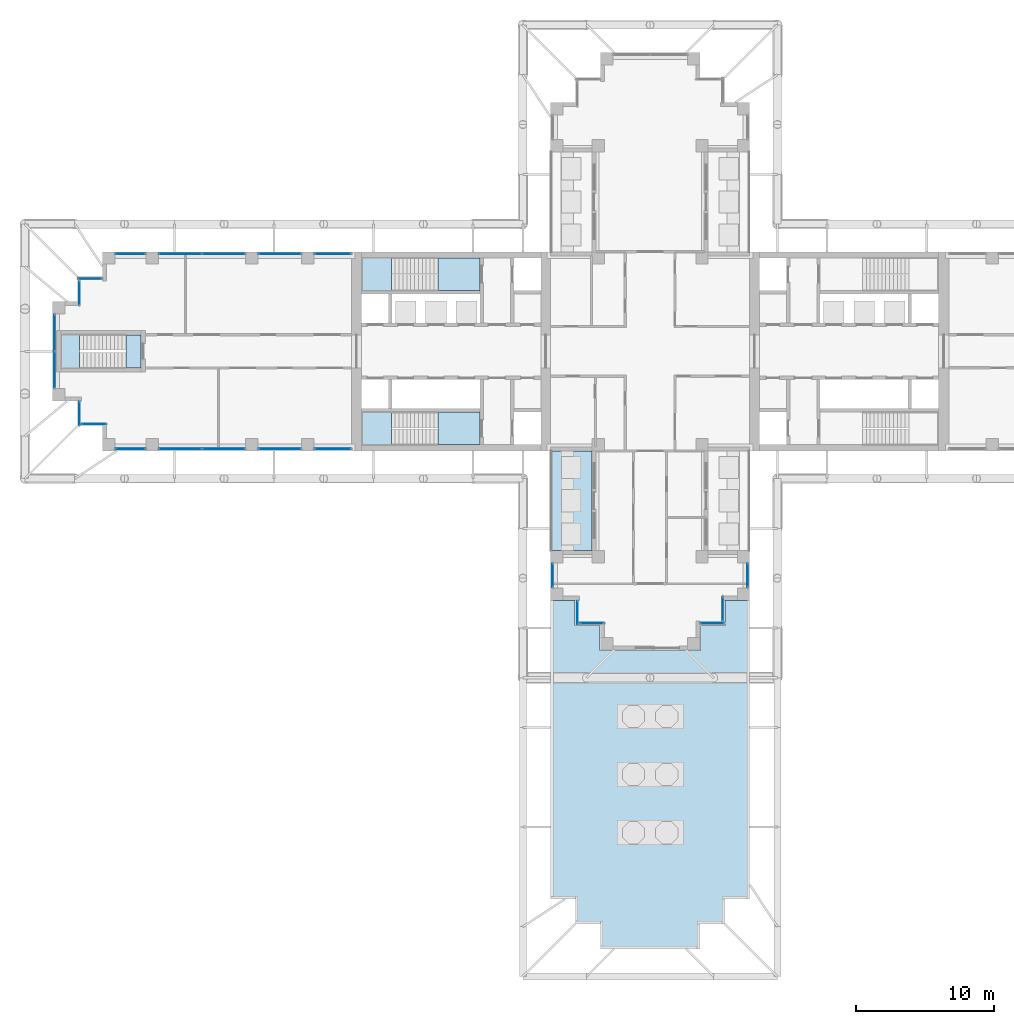
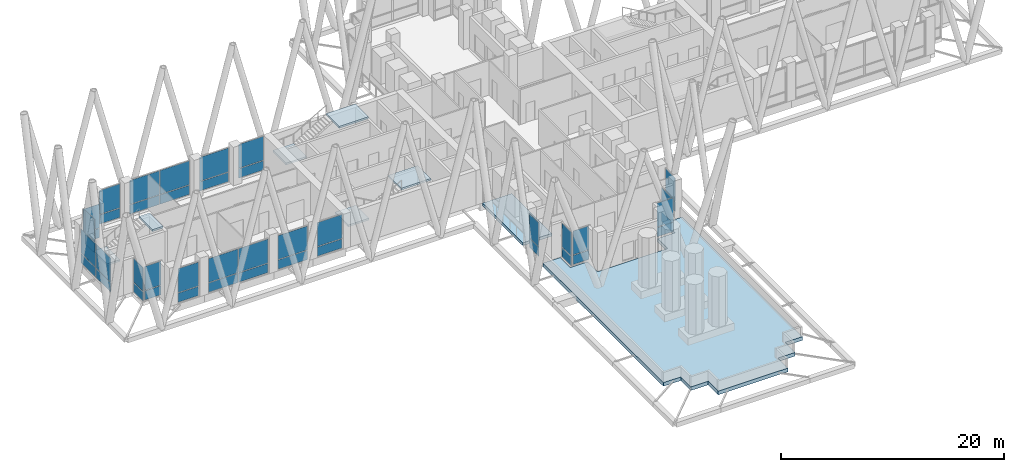
# One storey, part 11 of 22: 44 plates, 8 slabs, 22 elements without a shape of their own.
"""IFC4 building model written with IfcOpenShell, lengths in metres."""

from ifc_helpers import new_model, si_unit, direction, frame, origin, origin_2d, place, context, subcontext, project, spatial, polyline, rectangle, outline, extrude, material, layer, layer_set, type_object, element, aggregate, save


model = new_model("IFC4")

# Units and contexts
model_context = context("Model", 3, precision=1e-05, world=origin(), true_north=direction((0.0, 1.0)))
body_context = subcontext(model_context, "Body", "Model", "MODEL_VIEW")
ifc_project = project(units=[si_unit("LENGTHUNIT", "METRE"), si_unit("AREAUNIT", "SQUARE_METRE"), si_unit("VOLUMEUNIT", "CUBIC_METRE"), si_unit("PLANEANGLEUNIT", "RADIAN"), si_unit("MASSUNIT", "GRAM", prefix="KILO")], contexts=[model_context])

# Site, building, storey
site_placement = place(None, origin())
site = spatial("IfcSite", under=ifc_project, at=site_placement, CompositionType="ELEMENT")
building_placement = place(site_placement, origin())
building = spatial("IfcBuilding", under=site, at=building_placement, Name="Fustian Cross Tower", CompositionType="ELEMENT")
storey_placement = place(building_placement, frame((0.0, 0.0, 116.10009765625)))
storey = spatial("IfcBuildingStorey", under=building, at=storey_placement, Name="L36", CompositionType="ELEMENT", Elevation=116.10009765625)

# Slab
ifc_material_1 = material(Name="Concrete C40/50", Category="concrete")
ifc_layer_1 = layer(ifc_material_1, 0.300048828125)
ifc_layer_set_1 = layer_set([ifc_layer_1], Name="Concrete C40/50")
slab_type_1 = type_object("IfcSlabType", Name="BS1 BALCONY SLAB 300", PredefinedType="FLOOR", material=ifc_layer_set_1)
slab_1_placement = place(storey_placement, frame((0.0, 0.0, -0.300048828125)))
element("IfcSlab", 1, at=slab_1_placement, inside=storey, type_object=slab_type_1, Name="Balcony slab", PredefinedType="FLOOR", context=body_context, shape_type="SweptSolid", body=[
    extrude(outline(polyline([(-7.199951171875, -14.39990234375), (-4.199951171875, -14.39990234375), (-4.199951171875, -7.199951171875), (-7.199951171875, -7.199951171875), (-7.199951171875, -14.39990234375)])), origin(), (0.0, 0.0, 1.0), 0.300048828125),
])

# Curtain wall, plates
ifc_material_2 = material(Name="Dark anodised aluminium and double glazing", Category="aluminium")
curtain_wall_type = type_object("IfcCurtainWallType", Name="CW1 LOUNGE CURTAIN WALL", PredefinedType="NOTDEFINED", material=ifc_material_2)
curtain_wall_1_placement = place(storey_placement, origin())
curtain_wall_1 = element("IfcCurtainWall", 2, at=curtain_wall_1_placement, inside=storey, type_object=curtain_wall_type, Name="Curtain wall", PredefinedType="NOTDEFINED")
ifc_material_3 = material(Name="Double glazed unit")
ifc_layer_2 = layer(ifc_material_3, 0.028076171875)
ifc_layer_set_2 = layer_set([ifc_layer_2], Name="Double glazed unit")
plate_type = type_object("IfcPlateType", Name="CW1 PANEL IGU 28", PredefinedType="CURTAIN_PANEL", material=ifc_layer_set_2)
plate_1_placement = place(storey_placement, frame((-22.949951171875, 7.050048828125, 0.06005859375), z_axis=(0.0, 0.0, 1.0), x_axis=(-1.0, 0.0, 0.0)))
plate_1 = element("IfcPlate", 3, at=plate_1_placement, type_object=plate_type, Name="CW1 panel 1.1", PredefinedType="CURTAIN_PANEL", context=body_context, shape_type="SweptSolid", body=[
    extrude(rectangle(XDim=2.580078125, YDim=0.028076171875, at=origin_2d()), origin(), (0.0, 0.0, 1.0), 1.010009765625),
])
plate_2_placement = place(storey_placement, frame((-22.949951171875, 7.050048828125, 1.1298828125), z_axis=(0.0, 0.0, 1.0), x_axis=(-1.0, 0.0, 0.0)))
plate_2 = element("IfcPlate", 4, at=plate_2_placement, type_object=plate_type, Name="CW1 panel 1.2", PredefinedType="CURTAIN_PANEL", context=body_context, shape_type="SweptSolid", body=[
    extrude(rectangle(XDim=2.580078125, YDim=0.028076171875, at=origin_2d()), origin(), (0.0, 0.0, 1.0), 2.610107421875),
])
aggregate(curtain_wall_1, [plate_1, plate_2])

curtain_wall_2_placement = place(storey_placement, origin())
curtain_wall_2 = element("IfcCurtainWall", 5, at=curtain_wall_2_placement, inside=storey, type_object=curtain_wall_type, Name="Curtain wall", PredefinedType="NOTDEFINED")
plate_3_placement = place(storey_placement, frame((-26.77490234375, 7.050048828125, 0.06005859375), z_axis=(0.0, 0.0, 1.0), x_axis=(-1.0, 0.0, 0.0)))
plate_3 = element("IfcPlate", 6, at=plate_3_placement, type_object=plate_type, Name="CW1 panel 1.1", PredefinedType="CURTAIN_PANEL", context=body_context, shape_type="SweptSolid", body=[
    extrude(rectangle(XDim=3.030029296875, YDim=0.028076171875, at=origin_2d()), origin(), (0.0, 0.0, 1.0), 1.010009765625),
])
plate_4_placement = place(storey_placement, frame((-26.77490234375, 7.050048828125, 1.1298828125), z_axis=(0.0, 0.0, 1.0), x_axis=(-1.0, 0.0, 0.0)))
plate_4 = element("IfcPlate", 7, at=plate_4_placement, type_object=plate_type, Name="CW1 panel 1.2", PredefinedType="CURTAIN_PANEL", context=body_context, shape_type="SweptSolid", body=[
    extrude(rectangle(XDim=3.030029296875, YDim=0.028076171875, at=origin_2d()), origin(), (0.0, 0.0, 1.0), 2.610107421875),
])
aggregate(curtain_wall_2, [plate_3, plate_4])

curtain_wall_3_placement = place(storey_placement, origin())
curtain_wall_3 = element("IfcCurtainWall", 8, at=curtain_wall_3_placement, inside=storey, type_object=curtain_wall_type, Name="Curtain wall", PredefinedType="NOTDEFINED")
plate_5_placement = place(storey_placement, frame((-30.840087890625, 7.050048828125, 0.06005859375), z_axis=(0.0, 0.0, 1.0), x_axis=(-1.0, 0.0, 0.0)))
plate_5 = element("IfcPlate", 9, at=plate_5_placement, type_object=plate_type, Name="CW1 panel 1.1", PredefinedType="CURTAIN_PANEL", context=body_context, shape_type="SweptSolid", body=[
    extrude(rectangle(XDim=3.06005859375, YDim=0.028076171875, at=origin_2d()), origin(), (0.0, 0.0, 1.0), 1.010009765625),
])
plate_6_placement = place(storey_placement, frame((-30.840087890625, 7.050048828125, 1.1298828125), z_axis=(0.0, 0.0, 1.0), x_axis=(-1.0, 0.0, 0.0)))
plate_6 = element("IfcPlate", 10, at=plate_6_placement, type_object=plate_type, Name="CW1 panel 1.2", PredefinedType="CURTAIN_PANEL", context=body_context, shape_type="SweptSolid", body=[
    extrude(rectangle(XDim=3.06005859375, YDim=0.028076171875, at=origin_2d()), origin(), (0.0, 0.0, 1.0), 2.610107421875),
])
plate_7_placement = place(storey_placement, frame((-33.9599609375, 7.050048828125, 0.06005859375), z_axis=(0.0, 0.0, 1.0), x_axis=(-1.0, 0.0, 0.0)))
plate_7 = element("IfcPlate", 11, at=plate_7_placement, type_object=plate_type, Name="CW1 panel 2.1", PredefinedType="CURTAIN_PANEL", context=body_context, shape_type="SweptSolid", body=[
    extrude(rectangle(XDim=3.06005859375, YDim=0.028076171875, at=origin_2d()), origin(), (0.0, 0.0, 1.0), 1.010009765625),
])
plate_8_placement = place(storey_placement, frame((-33.9599609375, 7.050048828125, 1.1298828125), z_axis=(0.0, 0.0, 1.0), x_axis=(-1.0, 0.0, 0.0)))
plate_8 = element("IfcPlate", 12, at=plate_8_placement, type_object=plate_type, Name="CW1 panel 2.2", PredefinedType="CURTAIN_PANEL", context=body_context, shape_type="SweptSolid", body=[
    extrude(rectangle(XDim=3.06005859375, YDim=0.028076171875, at=origin_2d()), origin(), (0.0, 0.0, 1.0), 2.610107421875),
])
aggregate(curtain_wall_3, [plate_5, plate_6, plate_7, plate_8])

curtain_wall_4_placement = place(storey_placement, origin())
curtain_wall_4 = element("IfcCurtainWall", 13, at=curtain_wall_4_placement, inside=storey, type_object=curtain_wall_type, Name="Curtain wall", PredefinedType="NOTDEFINED")
plate_9_placement = place(storey_placement, frame((-37.574951171875, 7.050048828125, 0.06005859375), z_axis=(0.0, 0.0, 1.0), x_axis=(-1.0, 0.0, 0.0)))
plate_9 = element("IfcPlate", 14, at=plate_9_placement, type_object=plate_type, Name="CW1 panel 1.1", PredefinedType="CURTAIN_PANEL", context=body_context, shape_type="SweptSolid", body=[
    extrude(rectangle(XDim=2.1298828125, YDim=0.028076171875, at=origin_2d()), origin(), (0.0, 0.0, 1.0), 1.010009765625),
])
plate_10_placement = place(storey_placement, frame((-37.574951171875, 7.050048828125, 1.1298828125), z_axis=(0.0, 0.0, 1.0), x_axis=(-1.0, 0.0, 0.0)))
plate_10 = element("IfcPlate", 15, at=plate_10_placement, type_object=plate_type, Name="CW1 panel 1.2", PredefinedType="CURTAIN_PANEL", context=body_context, shape_type="SweptSolid", body=[
    extrude(rectangle(XDim=2.1298828125, YDim=0.028076171875, at=origin_2d()), origin(), (0.0, 0.0, 1.0), 2.610107421875),
])
aggregate(curtain_wall_4, [plate_9, plate_10])

curtain_wall_5_placement = place(storey_placement, origin())
curtain_wall_5 = element("IfcCurtainWall", 16, at=curtain_wall_5_placement, inside=storey, type_object=curtain_wall_type, Name="Curtain wall", PredefinedType="NOTDEFINED")
plate_11_placement = place(storey_placement, frame((-40.5, 5.25, 0.06005859375), z_axis=(0.0, 0.0, 1.0), x_axis=(-1.0, 0.0, 0.0)))
plate_11 = element("IfcPlate", 17, at=plate_11_placement, type_object=plate_type, Name="CW1 panel 1.1", PredefinedType="CURTAIN_PANEL", context=body_context, shape_type="SweptSolid", body=[
    extrude(rectangle(XDim=1.679931640625, YDim=0.028076171875, at=origin_2d()), origin(), (0.0, 0.0, 1.0), 1.010009765625),
])
plate_12_placement = place(storey_placement, frame((-40.5, 5.25, 1.1298828125), z_axis=(0.0, 0.0, 1.0), x_axis=(-1.0, 0.0, 0.0)))
plate_12 = element("IfcPlate", 18, at=plate_12_placement, type_object=plate_type, Name="CW1 panel 1.2", PredefinedType="CURTAIN_PANEL", context=body_context, shape_type="SweptSolid", body=[
    extrude(rectangle(XDim=1.679931640625, YDim=0.028076171875, at=origin_2d()), origin(), (0.0, 0.0, 1.0), 2.610107421875),
])
aggregate(curtain_wall_5, [plate_11, plate_12])

curtain_wall_6_placement = place(storey_placement, origin())
curtain_wall_6 = element("IfcCurtainWall", 19, at=curtain_wall_6_placement, inside=storey, type_object=curtain_wall_type, Name="Curtain wall", PredefinedType="NOTDEFINED")
plate_13_placement = place(storey_placement, frame((-41.25, 4.199951171875, 0.06005859375), z_axis=(0.0, 0.0, 1.0), x_axis=(0.0, -1.0, 0.0)))
plate_13 = element("IfcPlate", 20, at=plate_13_placement, type_object=plate_type, Name="CW1 panel 1.1", PredefinedType="CURTAIN_PANEL", context=body_context, shape_type="SweptSolid", body=[
    extrude(rectangle(XDim=1.679931640625, YDim=0.028076171875, at=origin_2d()), origin(), (0.0, 0.0, 1.0), 1.010009765625),
])
plate_14_placement = place(storey_placement, frame((-41.25, 4.199951171875, 1.1298828125), z_axis=(0.0, 0.0, 1.0), x_axis=(0.0, -1.0, 0.0)))
plate_14 = element("IfcPlate", 21, at=plate_14_placement, type_object=plate_type, Name="CW1 panel 1.2", PredefinedType="CURTAIN_PANEL", context=body_context, shape_type="SweptSolid", body=[
    extrude(rectangle(XDim=1.679931640625, YDim=0.028076171875, at=origin_2d()), origin(), (0.0, 0.0, 1.0), 2.610107421875),
])
aggregate(curtain_wall_6, [plate_13, plate_14])

curtain_wall_7_placement = place(storey_placement, origin())
curtain_wall_7 = element("IfcCurtainWall", 22, at=curtain_wall_7_placement, inside=storey, type_object=curtain_wall_type, Name="Curtain wall", PredefinedType="NOTDEFINED")
plate_15_placement = place(storey_placement, frame((-43.050048828125, 1.3349609375, 0.06005859375), z_axis=(0.0, 0.0, 1.0), x_axis=(0.0, -1.0, 0.0)))
plate_15 = element("IfcPlate", 23, at=plate_15_placement, type_object=plate_type, Name="CW1 panel 1.1", PredefinedType="CURTAIN_PANEL", context=body_context, shape_type="SweptSolid", body=[
    extrude(rectangle(XDim=2.610107421875, YDim=0.028076171875, at=origin_2d()), origin(), (0.0, 0.0, 1.0), 1.010009765625),
])
plate_16_placement = place(storey_placement, frame((-43.050048828125, 1.3349609375, 1.1298828125), z_axis=(0.0, 0.0, 1.0), x_axis=(0.0, -1.0, 0.0)))
plate_16 = element("IfcPlate", 24, at=plate_16_placement, type_object=plate_type, Name="CW1 panel 1.2", PredefinedType="CURTAIN_PANEL", context=body_context, shape_type="SweptSolid", body=[
    extrude(rectangle(XDim=2.610107421875, YDim=0.028076171875, at=origin_2d()), origin(), (0.0, 0.0, 1.0), 2.610107421875),
])
plate_17_placement = place(storey_placement, frame((-43.050048828125, -1.3349609375, 0.06005859375), z_axis=(0.0, 0.0, 1.0), x_axis=(0.0, -1.0, 0.0)))
plate_17 = element("IfcPlate", 25, at=plate_17_placement, type_object=plate_type, Name="CW1 panel 2.1", PredefinedType="CURTAIN_PANEL", context=body_context, shape_type="SweptSolid", body=[
    extrude(rectangle(XDim=2.610107421875, YDim=0.028076171875, at=origin_2d()), origin(), (0.0, 0.0, 1.0), 1.010009765625),
])
plate_18_placement = place(storey_placement, frame((-43.050048828125, -1.3349609375, 1.1298828125), z_axis=(0.0, 0.0, 1.0), x_axis=(0.0, -1.0, 0.0)))
plate_18 = element("IfcPlate", 26, at=plate_18_placement, type_object=plate_type, Name="CW1 panel 2.2", PredefinedType="CURTAIN_PANEL", context=body_context, shape_type="SweptSolid", body=[
    extrude(rectangle(XDim=2.610107421875, YDim=0.028076171875, at=origin_2d()), origin(), (0.0, 0.0, 1.0), 2.610107421875),
])
aggregate(curtain_wall_7, [plate_15, plate_16, plate_17, plate_18])

curtain_wall_8_placement = place(storey_placement, origin())
curtain_wall_8 = element("IfcCurtainWall", 27, at=curtain_wall_8_placement, inside=storey, type_object=curtain_wall_type, Name="Curtain wall", PredefinedType="NOTDEFINED")
plate_19_placement = place(storey_placement, frame((-41.25, -4.5, 0.06005859375), z_axis=(0.0, 0.0, 1.0), x_axis=(0.0, -1.0, 0.0)))
plate_19 = element("IfcPlate", 28, at=plate_19_placement, type_object=plate_type, Name="CW1 panel 1.1", PredefinedType="CURTAIN_PANEL", context=body_context, shape_type="SweptSolid", body=[
    extrude(rectangle(XDim=1.679931640625, YDim=0.028076171875, at=origin_2d()), origin(), (0.0, 0.0, 1.0), 1.010009765625),
])
plate_20_placement = place(storey_placement, frame((-41.25, -4.5, 1.1298828125), z_axis=(0.0, 0.0, 1.0), x_axis=(0.0, -1.0, 0.0)))
plate_20 = element("IfcPlate", 29, at=plate_20_placement, type_object=plate_type, Name="CW1 panel 1.2", PredefinedType="CURTAIN_PANEL", context=body_context, shape_type="SweptSolid", body=[
    extrude(rectangle(XDim=1.679931640625, YDim=0.028076171875, at=origin_2d()), origin(), (0.0, 0.0, 1.0), 2.610107421875),
])
aggregate(curtain_wall_8, [plate_19, plate_20])

curtain_wall_9_placement = place(storey_placement, origin())
curtain_wall_9 = element("IfcCurtainWall", 30, at=curtain_wall_9_placement, inside=storey, type_object=curtain_wall_type, Name="Curtain wall", PredefinedType="NOTDEFINED")
plate_21_placement = place(storey_placement, frame((-40.199951171875, -5.25, 0.06005859375), z_axis=(0.0, 0.0, 1.0), x_axis=(1.0, 0.0, 0.0)))
plate_21 = element("IfcPlate", 31, at=plate_21_placement, type_object=plate_type, Name="CW1 panel 1.1", PredefinedType="CURTAIN_PANEL", context=body_context, shape_type="SweptSolid", body=[
    extrude(rectangle(XDim=1.679931640625, YDim=0.028076171875, at=origin_2d()), origin(), (0.0, 0.0, 1.0), 1.010009765625),
])
plate_22_placement = place(storey_placement, frame((-40.199951171875, -5.25, 1.1298828125), z_axis=(0.0, 0.0, 1.0), x_axis=(1.0, 0.0, 0.0)))
plate_22 = element("IfcPlate", 32, at=plate_22_placement, type_object=plate_type, Name="CW1 panel 1.2", PredefinedType="CURTAIN_PANEL", context=body_context, shape_type="SweptSolid", body=[
    extrude(rectangle(XDim=1.679931640625, YDim=0.028076171875, at=origin_2d()), origin(), (0.0, 0.0, 1.0), 2.610107421875),
])
aggregate(curtain_wall_9, [plate_21, plate_22])

curtain_wall_10_placement = place(storey_placement, origin())
curtain_wall_10 = element("IfcCurtainWall", 33, at=curtain_wall_10_placement, inside=storey, type_object=curtain_wall_type, Name="Curtain wall", PredefinedType="NOTDEFINED")
plate_23_placement = place(storey_placement, frame((-37.574951171875, -7.050048828125, 0.06005859375), z_axis=(0.0, 0.0, 1.0), x_axis=(1.0, 0.0, 0.0)))
plate_23 = element("IfcPlate", 34, at=plate_23_placement, type_object=plate_type, Name="CW1 panel 1.1", PredefinedType="CURTAIN_PANEL", context=body_context, shape_type="SweptSolid", body=[
    extrude(rectangle(XDim=2.1298828125, YDim=0.028076171875, at=origin_2d()), origin(), (0.0, 0.0, 1.0), 1.010009765625),
])
plate_24_placement = place(storey_placement, frame((-37.574951171875, -7.050048828125, 1.1298828125), z_axis=(0.0, 0.0, 1.0), x_axis=(1.0, 0.0, 0.0)))
plate_24 = element("IfcPlate", 35, at=plate_24_placement, type_object=plate_type, Name="CW1 panel 1.2", PredefinedType="CURTAIN_PANEL", context=body_context, shape_type="SweptSolid", body=[
    extrude(rectangle(XDim=2.1298828125, YDim=0.028076171875, at=origin_2d()), origin(), (0.0, 0.0, 1.0), 2.610107421875),
])
aggregate(curtain_wall_10, [plate_23, plate_24])

curtain_wall_11_placement = place(storey_placement, origin())
curtain_wall_11 = element("IfcCurtainWall", 36, at=curtain_wall_11_placement, inside=storey, type_object=curtain_wall_type, Name="Curtain wall", PredefinedType="NOTDEFINED")
plate_25_placement = place(storey_placement, frame((-33.9599609375, -7.050048828125, 0.06005859375), z_axis=(0.0, 0.0, 1.0), x_axis=(1.0, 0.0, 0.0)))
plate_25 = element("IfcPlate", 37, at=plate_25_placement, type_object=plate_type, Name="CW1 panel 1.1", PredefinedType="CURTAIN_PANEL", context=body_context, shape_type="SweptSolid", body=[
    extrude(rectangle(XDim=3.06005859375, YDim=0.028076171875, at=origin_2d()), origin(), (0.0, 0.0, 1.0), 1.010009765625),
])
plate_26_placement = place(storey_placement, frame((-33.9599609375, -7.050048828125, 1.1298828125), z_axis=(0.0, 0.0, 1.0), x_axis=(1.0, 0.0, 0.0)))
plate_26 = element("IfcPlate", 38, at=plate_26_placement, type_object=plate_type, Name="CW1 panel 1.2", PredefinedType="CURTAIN_PANEL", context=body_context, shape_type="SweptSolid", body=[
    extrude(rectangle(XDim=3.06005859375, YDim=0.028076171875, at=origin_2d()), origin(), (0.0, 0.0, 1.0), 2.610107421875),
])
plate_27_placement = place(storey_placement, frame((-30.840087890625, -7.050048828125, 0.06005859375), z_axis=(0.0, 0.0, 1.0), x_axis=(1.0, 0.0, 0.0)))
plate_27 = element("IfcPlate", 39, at=plate_27_placement, type_object=plate_type, Name="CW1 panel 2.1", PredefinedType="CURTAIN_PANEL", context=body_context, shape_type="SweptSolid", body=[
    extrude(rectangle(XDim=3.06005859375, YDim=0.028076171875, at=origin_2d()), origin(), (0.0, 0.0, 1.0), 1.010009765625),
])
plate_28_placement = place(storey_placement, frame((-30.840087890625, -7.050048828125, 1.1298828125), z_axis=(0.0, 0.0, 1.0), x_axis=(1.0, 0.0, 0.0)))
plate_28 = element("IfcPlate", 40, at=plate_28_placement, type_object=plate_type, Name="CW1 panel 2.2", PredefinedType="CURTAIN_PANEL", context=body_context, shape_type="SweptSolid", body=[
    extrude(rectangle(XDim=3.06005859375, YDim=0.028076171875, at=origin_2d()), origin(), (0.0, 0.0, 1.0), 2.610107421875),
])
aggregate(curtain_wall_11, [plate_25, plate_26, plate_27, plate_28])

curtain_wall_12_placement = place(storey_placement, origin())
curtain_wall_12 = element("IfcCurtainWall", 41, at=curtain_wall_12_placement, inside=storey, type_object=curtain_wall_type, Name="Curtain wall", PredefinedType="NOTDEFINED")
plate_29_placement = place(storey_placement, frame((-26.77490234375, -7.050048828125, 0.06005859375), z_axis=(0.0, 0.0, 1.0), x_axis=(1.0, 0.0, 0.0)))
plate_29 = element("IfcPlate", 42, at=plate_29_placement, type_object=plate_type, Name="CW1 panel 1.1", PredefinedType="CURTAIN_PANEL", context=body_context, shape_type="SweptSolid", body=[
    extrude(rectangle(XDim=3.030029296875, YDim=0.028076171875, at=origin_2d()), origin(), (0.0, 0.0, 1.0), 1.010009765625),
])
plate_30_placement = place(storey_placement, frame((-26.77490234375, -7.050048828125, 1.1298828125), z_axis=(0.0, 0.0, 1.0), x_axis=(1.0, 0.0, 0.0)))
plate_30 = element("IfcPlate", 43, at=plate_30_placement, type_object=plate_type, Name="CW1 panel 1.2", PredefinedType="CURTAIN_PANEL", context=body_context, shape_type="SweptSolid", body=[
    extrude(rectangle(XDim=3.030029296875, YDim=0.028076171875, at=origin_2d()), origin(), (0.0, 0.0, 1.0), 2.610107421875),
])
aggregate(curtain_wall_12, [plate_29, plate_30])

curtain_wall_13_placement = place(storey_placement, origin())
curtain_wall_13 = element("IfcCurtainWall", 44, at=curtain_wall_13_placement, inside=storey, type_object=curtain_wall_type, Name="Curtain wall", PredefinedType="NOTDEFINED")
plate_31_placement = place(storey_placement, frame((-22.949951171875, -7.050048828125, 0.06005859375), z_axis=(0.0, 0.0, 1.0), x_axis=(1.0, 0.0, 0.0)))
plate_31 = element("IfcPlate", 45, at=plate_31_placement, type_object=plate_type, Name="CW1 panel 1.1", PredefinedType="CURTAIN_PANEL", context=body_context, shape_type="SweptSolid", body=[
    extrude(rectangle(XDim=2.580078125, YDim=0.028076171875, at=origin_2d()), origin(), (0.0, 0.0, 1.0), 1.010009765625),
])
plate_32_placement = place(storey_placement, frame((-22.949951171875, -7.050048828125, 1.1298828125), z_axis=(0.0, 0.0, 1.0), x_axis=(1.0, 0.0, 0.0)))
plate_32 = element("IfcPlate", 46, at=plate_32_placement, type_object=plate_type, Name="CW1 panel 1.2", PredefinedType="CURTAIN_PANEL", context=body_context, shape_type="SweptSolid", body=[
    extrude(rectangle(XDim=2.580078125, YDim=0.028076171875, at=origin_2d()), origin(), (0.0, 0.0, 1.0), 2.610107421875),
])
aggregate(curtain_wall_13, [plate_31, plate_32])

curtain_wall_14_placement = place(storey_placement, origin())
curtain_wall_14 = element("IfcCurtainWall", 47, at=curtain_wall_14_placement, inside=storey, type_object=curtain_wall_type, Name="Curtain wall", PredefinedType="NOTDEFINED")
plate_33_placement = place(storey_placement, frame((-7.050048828125, -16.199951171875, 0.06005859375), z_axis=(0.0, 0.0, 1.0), x_axis=(0.0, -1.0, 0.0)))
plate_33 = element("IfcPlate", 48, at=plate_33_placement, type_object=plate_type, Name="CW1 panel 1.1", PredefinedType="CURTAIN_PANEL", context=body_context, shape_type="SweptSolid", body=[
    extrude(rectangle(XDim=1.679931640625, YDim=0.028076171875, at=origin_2d()), origin(), (0.0, 0.0, 1.0), 1.010009765625),
])
plate_34_placement = place(storey_placement, frame((-7.050048828125, -16.199951171875, 1.1298828125), z_axis=(0.0, 0.0, 1.0), x_axis=(0.0, -1.0, 0.0)))
plate_34 = element("IfcPlate", 49, at=plate_34_placement, type_object=plate_type, Name="CW1 panel 1.2", PredefinedType="CURTAIN_PANEL", context=body_context, shape_type="SweptSolid", body=[
    extrude(rectangle(XDim=1.679931640625, YDim=0.028076171875, at=origin_2d()), origin(), (0.0, 0.0, 1.0), 2.610107421875),
])
aggregate(curtain_wall_14, [plate_33, plate_34])

curtain_wall_15_placement = place(storey_placement, origin())
curtain_wall_15 = element("IfcCurtainWall", 50, at=curtain_wall_15_placement, inside=storey, type_object=curtain_wall_type, Name="Curtain wall", PredefinedType="NOTDEFINED")
plate_35_placement = place(storey_placement, frame((-5.25, -18.89990234375, 0.06005859375), z_axis=(0.0, 0.0, 1.0), x_axis=(0.0, -1.0, 0.0)))
plate_35 = element("IfcPlate", 51, at=plate_35_placement, type_object=plate_type, Name="CW1 panel 1.1", PredefinedType="CURTAIN_PANEL", context=body_context, shape_type="SweptSolid", body=[
    extrude(rectangle(XDim=1.679931640625, YDim=0.028076171875, at=origin_2d()), origin(), (0.0, 0.0, 1.0), 1.010009765625),
])
plate_36_placement = place(storey_placement, frame((-5.25, -18.89990234375, 1.1298828125), z_axis=(0.0, 0.0, 1.0), x_axis=(0.0, -1.0, 0.0)))
plate_36 = element("IfcPlate", 52, at=plate_36_placement, type_object=plate_type, Name="CW1 panel 1.2", PredefinedType="CURTAIN_PANEL", context=body_context, shape_type="SweptSolid", body=[
    extrude(rectangle(XDim=1.679931640625, YDim=0.028076171875, at=origin_2d()), origin(), (0.0, 0.0, 1.0), 2.610107421875),
])
aggregate(curtain_wall_15, [plate_35, plate_36])

curtain_wall_16_placement = place(storey_placement, origin())
curtain_wall_16 = element("IfcCurtainWall", 53, at=curtain_wall_16_placement, inside=storey, type_object=curtain_wall_type, Name="Curtain wall", PredefinedType="NOTDEFINED")
plate_37_placement = place(storey_placement, frame((-4.199951171875, -19.64990234375, 0.06005859375), z_axis=(0.0, 0.0, 1.0), x_axis=(1.0, 0.0, 0.0)))
plate_37 = element("IfcPlate", 54, at=plate_37_placement, type_object=plate_type, Name="CW1 panel 1.1", PredefinedType="CURTAIN_PANEL", context=body_context, shape_type="SweptSolid", body=[
    extrude(rectangle(XDim=1.679931640625, YDim=0.028076171875, at=origin_2d()), origin(), (0.0, 0.0, 1.0), 1.010009765625),
])
plate_38_placement = place(storey_placement, frame((-4.199951171875, -19.64990234375, 1.1298828125), z_axis=(0.0, 0.0, 1.0), x_axis=(1.0, 0.0, 0.0)))
plate_38 = element("IfcPlate", 55, at=plate_38_placement, type_object=plate_type, Name="CW1 panel 1.2", PredefinedType="CURTAIN_PANEL", context=body_context, shape_type="SweptSolid", body=[
    extrude(rectangle(XDim=1.679931640625, YDim=0.028076171875, at=origin_2d()), origin(), (0.0, 0.0, 1.0), 2.610107421875),
])
aggregate(curtain_wall_16, [plate_37, plate_38])

curtain_wall_17_placement = place(storey_placement, origin())
curtain_wall_17 = element("IfcCurtainWall", 56, at=curtain_wall_17_placement, inside=storey, type_object=curtain_wall_type, Name="Curtain wall", PredefinedType="NOTDEFINED")
plate_39_placement = place(storey_placement, frame((4.5, -19.64990234375, 0.06005859375), z_axis=(0.0, 0.0, 1.0), x_axis=(1.0, 0.0, 0.0)))
plate_39 = element("IfcPlate", 57, at=plate_39_placement, type_object=plate_type, Name="CW1 panel 1.1", PredefinedType="CURTAIN_PANEL", context=body_context, shape_type="SweptSolid", body=[
    extrude(rectangle(XDim=1.679931640625, YDim=0.028076171875, at=origin_2d()), origin(), (0.0, 0.0, 1.0), 1.010009765625),
])
plate_40_placement = place(storey_placement, frame((4.5, -19.64990234375, 1.1298828125), z_axis=(0.0, 0.0, 1.0), x_axis=(1.0, 0.0, 0.0)))
plate_40 = element("IfcPlate", 58, at=plate_40_placement, type_object=plate_type, Name="CW1 panel 1.2", PredefinedType="CURTAIN_PANEL", context=body_context, shape_type="SweptSolid", body=[
    extrude(rectangle(XDim=1.679931640625, YDim=0.028076171875, at=origin_2d()), origin(), (0.0, 0.0, 1.0), 2.610107421875),
])
aggregate(curtain_wall_17, [plate_39, plate_40])

curtain_wall_18_placement = place(storey_placement, origin())
curtain_wall_18 = element("IfcCurtainWall", 59, at=curtain_wall_18_placement, inside=storey, type_object=curtain_wall_type, Name="Curtain wall", PredefinedType="NOTDEFINED")
plate_41_placement = place(storey_placement, frame((5.25, -18.60009765625, 0.06005859375), z_axis=(0.0, 0.0, 1.0), x_axis=(0.0, 1.0, 0.0)))
plate_41 = element("IfcPlate", 60, at=plate_41_placement, type_object=plate_type, Name="CW1 panel 1.1", PredefinedType="CURTAIN_PANEL", context=body_context, shape_type="SweptSolid", body=[
    extrude(rectangle(XDim=1.679931640625, YDim=0.028076171875, at=origin_2d()), origin(), (0.0, 0.0, 1.0), 1.010009765625),
])
plate_42_placement = place(storey_placement, frame((5.25, -18.60009765625, 1.1298828125), z_axis=(0.0, 0.0, 1.0), x_axis=(0.0, 1.0, 0.0)))
plate_42 = element("IfcPlate", 61, at=plate_42_placement, type_object=plate_type, Name="CW1 panel 1.2", PredefinedType="CURTAIN_PANEL", context=body_context, shape_type="SweptSolid", body=[
    extrude(rectangle(XDim=1.679931640625, YDim=0.028076171875, at=origin_2d()), origin(), (0.0, 0.0, 1.0), 2.610107421875),
])
aggregate(curtain_wall_18, [plate_41, plate_42])

curtain_wall_19_placement = place(storey_placement, origin())
curtain_wall_19 = element("IfcCurtainWall", 62, at=curtain_wall_19_placement, inside=storey, type_object=curtain_wall_type, Name="Curtain wall", PredefinedType="NOTDEFINED")
plate_43_placement = place(storey_placement, frame((7.050048828125, -16.199951171875, 0.06005859375), z_axis=(0.0, 0.0, 1.0), x_axis=(0.0, 1.0, 0.0)))
plate_43 = element("IfcPlate", 63, at=plate_43_placement, type_object=plate_type, Name="CW1 panel 1.1", PredefinedType="CURTAIN_PANEL", context=body_context, shape_type="SweptSolid", body=[
    extrude(rectangle(XDim=1.679931640625, YDim=0.028076171875, at=origin_2d()), origin(), (0.0, 0.0, 1.0), 1.010009765625),
])
plate_44_placement = place(storey_placement, frame((7.050048828125, -16.199951171875, 1.1298828125), z_axis=(0.0, 0.0, 1.0), x_axis=(0.0, 1.0, 0.0)))
plate_44 = element("IfcPlate", 64, at=plate_44_placement, type_object=plate_type, Name="CW1 panel 1.2", PredefinedType="CURTAIN_PANEL", context=body_context, shape_type="SweptSolid", body=[
    extrude(rectangle(XDim=1.679931640625, YDim=0.028076171875, at=origin_2d()), origin(), (0.0, 0.0, 1.0), 2.610107421875),
])
aggregate(curtain_wall_19, [plate_43, plate_44])

# Stair, slabs
ifc_material_4 = material(Name="Concrete C50/60", Category="concrete")
stair_type_1 = type_object("IfcStairType", Name="STAIR 1150 HALF TURN", PredefinedType="HALF_TURN_STAIR", material=ifc_material_4)
stair_1_placement = place(storey_placement, origin())
stair_1 = element("IfcStair", 65, at=stair_1_placement, inside=storey, type_object=stair_type_1, Name="Stair ST3", PredefinedType="HALF_TURN_STAIR")
ifc_material_5 = material(Name="Concrete C50/60", Category="concrete")
ifc_layer_3 = layer(ifc_material_5, 0.199951171875)
ifc_layer_set_3 = layer_set([ifc_layer_3], Name="Concrete C50/60")
slab_type_2 = type_object("IfcSlabType", Name="STAIR LANDING", PredefinedType="LANDING", material=ifc_layer_set_3)
slab_2_placement = place(storey_placement, frame((0.0, 0.0, 1.89990234375)))
slab_2 = element("IfcSlab", 66, at=slab_2_placement, type_object=slab_type_2, Name="ST3 landing 1", PredefinedType="LANDING", context=body_context, shape_type="SweptSolid", body=[
    extrude(outline(polyline([(-18.7099609375, 4.39990234375), (-20.85009765625, 4.39990234375), (-20.85009765625, 6.75), (-18.7099609375, 6.75), (-18.7099609375, 4.39990234375)])), origin(), (0.0, 0.0, 1.0), 0.199951171875),
])
slab_3_placement = place(storey_placement, frame((0.0, 0.0, 4.0)))
slab_3 = element("IfcSlab", 67, at=slab_3_placement, type_object=slab_type_2, Name="ST3 landing 2", PredefinedType="LANDING", context=body_context, shape_type="SweptSolid", body=[
    extrude(outline(polyline([(-12.300048828125, 4.39990234375), (-15.35009765625, 4.39990234375), (-15.35009765625, 6.75), (-12.300048828125, 6.75), (-12.300048828125, 4.39990234375)])), origin(), (0.0, 0.0, 1.0), 0.199951171875),
])
aggregate(stair_1, [slab_2, slab_3])

stair_2_placement = place(storey_placement, origin())
stair_2 = element("IfcStair", 68, at=stair_2_placement, inside=storey, type_object=stair_type_1, Name="Stair ST4", PredefinedType="HALF_TURN_STAIR")
slab_4_placement = place(storey_placement, frame((0.0, 0.0, 1.89990234375)))
slab_4 = element("IfcSlab", 69, at=slab_4_placement, type_object=slab_type_2, Name="ST4 landing 1", PredefinedType="LANDING", context=body_context, shape_type="SweptSolid", body=[
    extrude(outline(polyline([(-18.7099609375, -4.39990234375), (-20.85009765625, -4.39990234375), (-20.85009765625, -6.75), (-18.7099609375, -6.75), (-18.7099609375, -4.39990234375)])), origin(), (0.0, 0.0, 1.0), 0.199951171875),
])
slab_5_placement = place(storey_placement, frame((0.0, 0.0, 4.0)))
slab_5 = element("IfcSlab", 70, at=slab_5_placement, type_object=slab_type_2, Name="ST4 landing 2", PredefinedType="LANDING", context=body_context, shape_type="SweptSolid", body=[
    extrude(outline(polyline([(-12.300048828125, -4.39990234375), (-15.35009765625, -4.39990234375), (-15.35009765625, -6.75), (-12.300048828125, -6.75), (-12.300048828125, -4.39990234375)])), origin(), (0.0, 0.0, 1.0), 0.199951171875),
])
aggregate(stair_2, [slab_4, slab_5])

ifc_material_6 = material(Name="Concrete C50/60", Category="concrete")
stair_type_2 = type_object("IfcStairType", Name="STAIR 1100 HALF TURN", PredefinedType="HALF_TURN_STAIR", material=ifc_material_6)
stair_3_placement = place(storey_placement, origin())
stair_3 = element("IfcStair", 71, at=stair_3_placement, inside=storey, type_object=stair_type_2, Name="Stair ST9", PredefinedType="HALF_TURN_STAIR")
slab_6_placement = place(storey_placement, frame((0.0, 0.0, 1.89990234375)))
slab_6 = element("IfcSlab", 72, at=slab_6_placement, type_object=slab_type_2, Name="ST9 landing 1", PredefinedType="LANDING", context=body_context, shape_type="SweptSolid", body=[
    extrude(outline(polyline([(-41.260009765625, -1.199951171875), (-42.60009765625, -1.199951171875), (-42.60009765625, 1.199951171875), (-41.260009765625, 1.199951171875), (-41.260009765625, -1.199951171875)])), origin(), (0.0, 0.0, 1.0), 0.199951171875),
])
slab_7_placement = place(storey_placement, frame((0.0, 0.0, 4.0)))
slab_7 = element("IfcSlab", 73, at=slab_7_placement, type_object=slab_type_2, Name="ST9 landing 2", PredefinedType="LANDING", context=body_context, shape_type="SweptSolid", body=[
    extrude(outline(polyline([(-36.800048828125, -1.199951171875), (-37.89990234375, -1.199951171875), (-37.89990234375, 1.199951171875), (-36.800048828125, 1.199951171875), (-36.800048828125, -1.199951171875)])), origin(), (0.0, 0.0, 1.0), 0.199951171875),
])
aggregate(stair_3, [slab_6, slab_7])

# Slab
ifc_material_7 = material(Name="Concrete C40/50", Category="concrete")
ifc_layer_4 = layer(ifc_material_7, 0.39990234375)
ifc_layer_set_4 = layer_set([ifc_layer_4], Name="Concrete C40/50")
slab_type_3 = type_object("IfcSlabType", Name="TERRACE SLAB 400", PredefinedType="ROOF", material=ifc_layer_set_4)
slab_8_placement = place(storey_placement, frame((0.0, 0.0, -0.400146484375)))
element("IfcSlab", 74, at=slab_8_placement, inside=storey, type_object=slab_type_3, Name="Terrace slab L36 1", PredefinedType="ROOF", context=body_context, shape_type="SweptSolid", body=[
    extrude(outline(polyline([(5.39990234375, -39.60009765625), (7.199951171875, -39.60009765625), (7.199951171875, -18.030029296875), (5.429931640625, -18.030029296875), (5.429931640625, -19.830078125), (3.6298828125, -19.830078125), (3.6298828125, -21.6298828125), (-3.6298828125, -21.6298828125), (-3.6298828125, -19.830078125), (-5.429931640625, -19.830078125), (-5.429931640625, -18.030029296875), (-7.199951171875, -18.030029296875), (-7.199951171875, -39.60009765625), (-5.39990234375, -39.60009765625), (-5.39990234375, -41.39990234375), (-3.60009765625, -41.39990234375), (-3.60009765625, -43.199951171875), (3.60009765625, -43.199951171875), (3.60009765625, -41.39990234375), (5.39990234375, -41.39990234375), (5.39990234375, -39.60009765625)])), origin(), (0.0, 0.0, 1.0), 0.400146484375),
])

save(model, "model.ifc")
